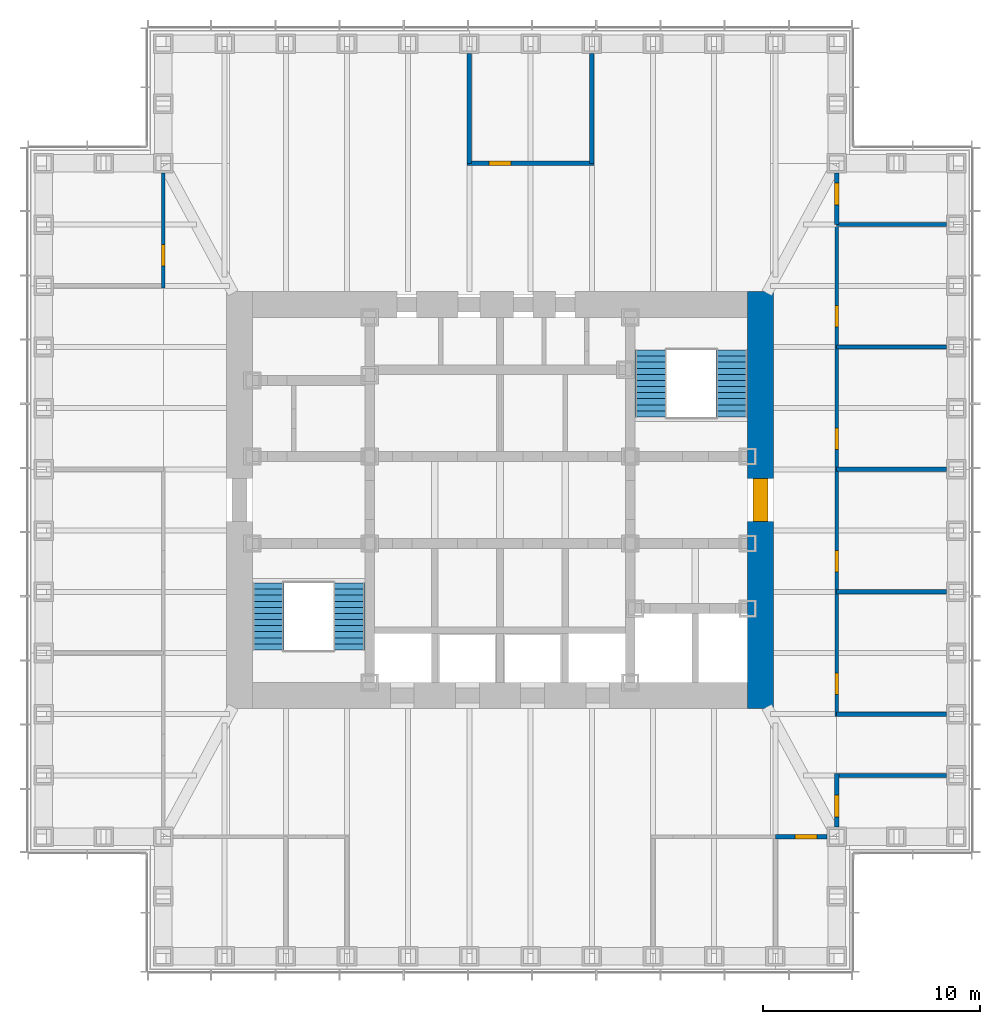
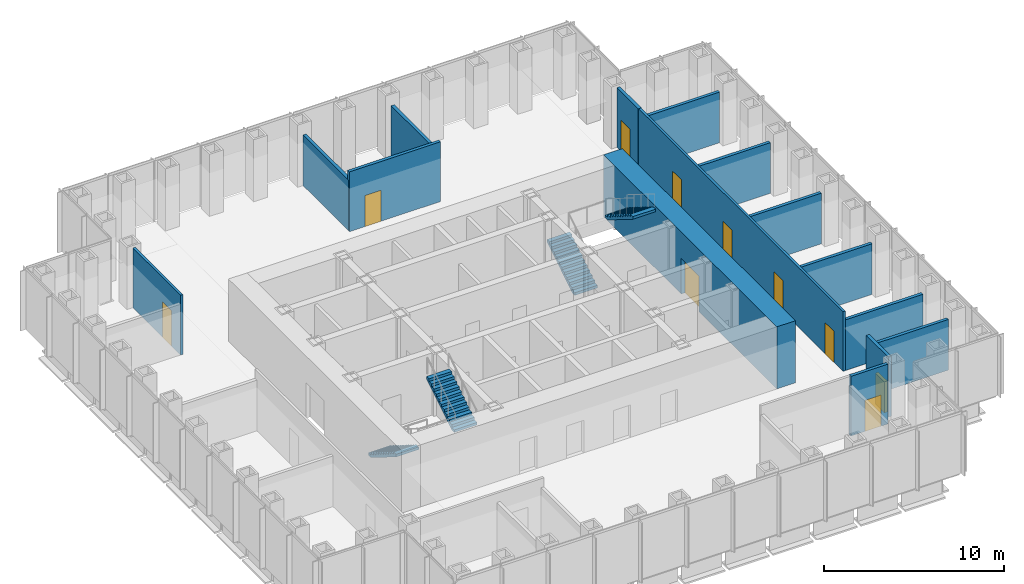
# One storey, part 10 of 16: 15 walls, 10 doors, 4 stair flights, 10 openings, 2 elements without a shape of their own.
"""IFC4 building model written with IfcOpenShell, lengths in metres."""

from ifc_helpers import new_model, si_unit, direction, frame, frame_2d, origin, place, context, subcontext, project, spatial, polyline, rectangle, outline, extrude, material, layer, layer_set, type_object, element, fill, aggregate, save


model = new_model("IFC4")

# Units and contexts
model_context = context("Model", 3, precision=1e-05, world=origin(), true_north=direction((0.0, 1.0)))
body_context = subcontext(model_context, "Body", "Model", "MODEL_VIEW")
ifc_project = project(units=[si_unit("LENGTHUNIT", "METRE"), si_unit("AREAUNIT", "SQUARE_METRE"), si_unit("VOLUMEUNIT", "CUBIC_METRE"), si_unit("PLANEANGLEUNIT", "RADIAN"), si_unit("MASSUNIT", "GRAM", prefix="KILO")], contexts=[model_context])

# Site, building, storey
site_placement = place(None, origin())
site = spatial("IfcSite", under=ifc_project, at=site_placement, CompositionType="ELEMENT")
building_placement = place(site_placement, origin())
building = spatial("IfcBuilding", under=site, at=building_placement, Name="Daluyong Arena Tower", CompositionType="ELEMENT")
storey_placement = place(building_placement, frame((0.0, 0.0, 202.300048828125)))
storey = spatial("IfcBuildingStorey", under=building, at=storey_placement, Name="L45", CompositionType="ELEMENT", Elevation=202.300048828125)

# Wall, opening, door
ifc_material_1 = material(Name="Concrete fc' 60 MPa", Category="concrete")
ifc_layer_1 = layer(ifc_material_1, 1.199951171875)
ifc_layer_set_1 = layer_set([ifc_layer_1], Name="Concrete fc' 60 MPa")
wall_type_1 = type_object("IfcWallType", Name="Core wall 1200", PredefinedType="SHEAR", material=ifc_layer_set_1)
wall_1_placement = place(storey_placement, frame((68.0, 70.39990234375, 0.0), z_axis=(0.0, 0.0, 1.0), x_axis=(0.0, 1.0, 0.0)))
wall_1 = element("IfcWall", 1, at=wall_1_placement, inside=storey, type_object=wall_type_1, Name="core wall at L45", PredefinedType="SHEAR", context=body_context, shape_type="SweptSolid", body=[
    extrude(rectangle(XDim=19.2001953125, YDim=1.199951171875, at=frame_2d((9.60009765625, 0.0))), origin(), (0.0, 0.0, 1.0), 4.199951171875),
])
opening_1_placement = place(wall_1_placement, frame((8.60009765625, 0.0, 0.0)))
opening_1 = element("IfcOpeningElement", 2, at=opening_1_placement, cuts=wall_1, Name="Opening 45020", PredefinedType="OPENING", context=body_context, shape_type="SweptSolid", body=[
    extrude(rectangle(XDim=2.0, YDim=2.39990234375, at=frame_2d((1.0, 1.199951171875))), frame((0.0, 0.60986328125, 0.0), z_axis=(0.0, -1.0, 0.0), x_axis=(1.0, 0.0, 0.0)), (0.0, 0.0, 1.0), 1.219970703125),
])
ifc_material_2 = material(Name="Steel door, fire rated", Category="steel")
door_type_1 = type_object("IfcDoorType", Name="Core lobby double door 2000", OperationType="DOUBLE_DOOR_SINGLE_SWING", PredefinedType="DOOR", material=ifc_material_2)
door_1_placement = place(opening_1_placement, origin())
door_1 = element("IfcDoor", 3, at=door_1_placement, inside=storey, type_object=door_type_1, Name="core lobby door east 45020", OperationType="DOUBLE_DOOR_SINGLE_SWING", OverallHeight=2.39990234375, OverallWidth=2.0, PredefinedType="DOOR", context=body_context, shape_type="SweptSolid", body=[
    extrude(rectangle(XDim=2.0, YDim=2.39990234375, at=frame_2d((1.0, 1.199951171875))), frame((0.0, 0.35009765625, 0.0), z_axis=(0.0, -1.0, 0.0), x_axis=(1.0, 0.0, 0.0)), (0.0, 0.0, 1.0), 0.699951171875),
])
fill(opening_1, door_1)

ifc_material_3 = material(Name="Glazed aluminium partition", Category="aluminium")
ifc_layer_2 = layer(ifc_material_3, 0.14990234375)
ifc_layer_set_2 = layer_set([ifc_layer_2], Name="Glazed aluminium partition")
wall_type_2 = type_object("IfcWallType", Name="Glazed partition 150", PredefinedType="PARTITIONING", material=ifc_layer_set_2)
wall_2_placement = place(storey_placement, frame((40.5, 89.763671875, 0.0), z_axis=(0.0, 0.0, 1.0), x_axis=(0.0, 1.0, 0.0)))
wall_2 = element("IfcWall", 4, at=wall_2_placement, inside=storey, type_object=wall_type_2, Name="glazed partition at L45", PredefinedType="PARTITIONING", context=body_context, shape_type="SweptSolid", body=[
    extrude(rectangle(XDim=5.286376953125, YDim=0.14990234375, at=frame_2d((2.64306640625, 0.0))), origin(), (0.0, 0.0, 1.0), 4.0400390625),
])
opening_2_placement = place(wall_2_placement, frame((1.009033203125, 0.0, 0.0)))
opening_2 = element("IfcOpeningElement", 5, at=opening_2_placement, cuts=wall_2, Name="Opening 45043", PredefinedType="OPENING", context=body_context, shape_type="SweptSolid", body=[
    extrude(rectangle(XDim=1.0, YDim=2.39990234375, at=frame_2d((0.5, 1.199951171875))), frame((0.0, 0.0849609375, 0.0), z_axis=(0.0, -1.0, 0.0), x_axis=(1.0, 0.0, 0.0)), (0.0, 0.0, 1.0), 0.169921875),
])
ifc_material_4 = material(Name="Glazed aluminium door", Category="aluminium")
door_type_2 = type_object("IfcDoorType", Name="Meeting room glazed door 1000", OperationType="SINGLE_SWING_RIGHT", PredefinedType="DOOR", material=ifc_material_4)
door_2_placement = place(opening_2_placement, origin())
door_2 = element("IfcDoor", 6, at=door_2_placement, inside=storey, type_object=door_type_2, Name="meeting room door 45043", OperationType="SINGLE_SWING_RIGHT", OverallHeight=2.39990234375, OverallWidth=1.0, PredefinedType="DOOR", context=body_context, shape_type="SweptSolid", body=[
    extrude(rectangle(XDim=1.0, YDim=2.39990234375, at=frame_2d((0.5, 1.199951171875))), frame((0.0, 0.07470703125, 0.0), z_axis=(0.0, -1.0, 0.0), x_axis=(1.0, 0.0, 0.0)), (0.0, 0.0, 1.0), 0.1494140625),
])
fill(opening_2, door_2)

# Wall, openings, doors
wall_3_placement = place(storey_placement, frame((71.5, 70.036376953125, 0.0), z_axis=(0.0, 0.0, 1.0), x_axis=(0.0, 1.0, 0.0)))
wall_3 = element("IfcWall", 7, at=wall_3_placement, inside=storey, type_object=wall_type_2, Name="glazed partition at L45", PredefinedType="PARTITIONING", context=body_context, shape_type="SweptSolid", body=[
    extrude(rectangle(XDim=22.6455078125, YDim=0.14990234375, at=frame_2d((11.32275390625, 0.0))), origin(), (0.0, 0.0, 1.0), 4.0400390625),
])
opening_3_placement = place(wall_3_placement, frame((1.009033203125, 0.0, 0.0)))
opening_3 = element("IfcOpeningElement", 8, at=opening_3_placement, cuts=wall_3, Name="Opening 45035", PredefinedType="OPENING", context=body_context, shape_type="SweptSolid", body=[
    extrude(rectangle(XDim=1.0, YDim=2.10009765625, at=frame_2d((0.5, 1.050048828125))), frame((0.0, 0.0849609375, 0.0), z_axis=(0.0, -1.0, 0.0), x_axis=(1.0, 0.0, 0.0)), (0.0, 0.0, 1.0), 0.169921875),
])
opening_4_placement = place(wall_3_placement, frame((6.6455078125, 0.0, 0.0)))
opening_4 = element("IfcOpeningElement", 9, at=opening_4_placement, cuts=wall_3, Name="Opening 45036", PredefinedType="OPENING", context=body_context, shape_type="SweptSolid", body=[
    extrude(rectangle(XDim=1.0, YDim=2.10009765625, at=frame_2d((0.5, 1.050048828125))), frame((0.0, 0.0849609375, 0.0), z_axis=(0.0, -1.0, 0.0), x_axis=(1.0, 0.0, 0.0)), (0.0, 0.0, 1.0), 0.169921875),
])
opening_5_placement = place(wall_3_placement, frame((12.28173828125, 0.0, 0.0)))
opening_5 = element("IfcOpeningElement", 10, at=opening_5_placement, cuts=wall_3, Name="Opening 45037", PredefinedType="OPENING", context=body_context, shape_type="SweptSolid", body=[
    extrude(rectangle(XDim=1.0, YDim=2.10009765625, at=frame_2d((0.5, 1.050048828125))), frame((0.0, 0.0849609375, 0.0), z_axis=(0.0, -1.0, 0.0), x_axis=(1.0, 0.0, 0.0)), (0.0, 0.0, 1.0), 0.169921875),
])
opening_6_placement = place(wall_3_placement, frame((17.918212890625, 0.0, 0.0)))
opening_6 = element("IfcOpeningElement", 11, at=opening_6_placement, cuts=wall_3, Name="Opening 45038", PredefinedType="OPENING", context=body_context, shape_type="SweptSolid", body=[
    extrude(rectangle(XDim=1.0, YDim=2.10009765625, at=frame_2d((0.5, 1.050048828125))), frame((0.0, 0.0849609375, 0.0), z_axis=(0.0, -1.0, 0.0), x_axis=(1.0, 0.0, 0.0)), (0.0, 0.0, 1.0), 0.169921875),
])
ifc_material_5 = material(Name="Timber door", Category="wood")
door_type_3 = type_object("IfcDoorType", Name="Room door 1000", OperationType="SINGLE_SWING_LEFT", PredefinedType="DOOR", material=ifc_material_5)
door_3_placement = place(opening_3_placement, origin())
door_3 = element("IfcDoor", 12, at=door_3_placement, inside=storey, type_object=door_type_3, Name="executive office door 45035", OperationType="SINGLE_SWING_LEFT", OverallHeight=2.10009765625, OverallWidth=1.0, PredefinedType="DOOR", context=body_context, shape_type="SweptSolid", body=[
    extrude(rectangle(XDim=1.0, YDim=2.10009765625, at=frame_2d((0.5, 1.050048828125))), frame((0.0, 0.07470703125, 0.0), z_axis=(0.0, -1.0, 0.0), x_axis=(1.0, 0.0, 0.0)), (0.0, 0.0, 1.0), 0.1494140625),
])
fill(opening_3, door_3)
door_4_placement = place(opening_4_placement, origin())
door_4 = element("IfcDoor", 13, at=door_4_placement, inside=storey, type_object=door_type_3, Name="executive office door 45036", OperationType="SINGLE_SWING_LEFT", OverallHeight=2.10009765625, OverallWidth=1.0, PredefinedType="DOOR", context=body_context, shape_type="SweptSolid", body=[
    extrude(rectangle(XDim=1.0, YDim=2.10009765625, at=frame_2d((0.5, 1.050048828125))), frame((0.0, 0.07470703125, 0.0), z_axis=(0.0, -1.0, 0.0), x_axis=(1.0, 0.0, 0.0)), (0.0, 0.0, 1.0), 0.1494140625),
])
fill(opening_4, door_4)
door_5_placement = place(opening_5_placement, origin())
door_5 = element("IfcDoor", 14, at=door_5_placement, inside=storey, type_object=door_type_3, Name="executive office door 45037", OperationType="SINGLE_SWING_LEFT", OverallHeight=2.10009765625, OverallWidth=1.0, PredefinedType="DOOR", context=body_context, shape_type="SweptSolid", body=[
    extrude(rectangle(XDim=1.0, YDim=2.10009765625, at=frame_2d((0.5, 1.050048828125))), frame((0.0, 0.07470703125, 0.0), z_axis=(0.0, -1.0, 0.0), x_axis=(1.0, 0.0, 0.0)), (0.0, 0.0, 1.0), 0.1494140625),
])
fill(opening_5, door_5)
door_6_placement = place(opening_6_placement, origin())
door_6 = element("IfcDoor", 15, at=door_6_placement, inside=storey, type_object=door_type_3, Name="office door 45038", OperationType="SINGLE_SWING_LEFT", OverallHeight=2.10009765625, OverallWidth=1.0, PredefinedType="DOOR", context=body_context, shape_type="SweptSolid", body=[
    extrude(rectangle(XDim=1.0, YDim=2.10009765625, at=frame_2d((0.5, 1.050048828125))), frame((0.0, 0.07470703125, 0.0), z_axis=(0.0, -1.0, 0.0), x_axis=(1.0, 0.0, 0.0)), (0.0, 0.0, 1.0), 0.1494140625),
])
fill(opening_6, door_6)

# Walls
ifc_material_6 = material(Name="Concrete block partition", Category="concrete")
ifc_layer_3 = layer(ifc_material_6, 0.199951171875)
ifc_layer_set_3 = layer_set([ifc_layer_3], Name="Concrete block partition")
wall_type_3 = type_object("IfcWallType", Name="Partition 200", PredefinedType="PARTITIONING", material=ifc_layer_set_3)
for number, where, z_axis, x_axis, name in (
    (16, (71.5, 67.318115234375, 0.0), (0.0, 0.0, 1.0), (1.0, 0.0, 0.0), "partition at L45"),
    (17, (71.5, 70.136474609375, 0.0), (0.0, 0.0, 1.0), (1.0, 0.0, 0.0), "partition at L45"),
    (18, (71.5, 75.772705078125, 0.0), (0.0, 0.0, 1.0), (1.0, 0.0, 0.0), "partition at L45"),
    (19, (71.5, 81.4091796875, 0.0), (0.0, 0.0, 1.0), (1.0, 0.0, 0.0), "partition at L45"),
    (20, (71.5, 87.04541015625, 0.0), (0.0, 0.0, 1.0), (1.0, 0.0, 0.0), "partition at L45"),
    (21, (71.5, 92.681884765625, 0.0), (0.0, 0.0, 1.0), (1.0, 0.0, 0.0), "partition at L45"),
    (22, (54.5908203125, 95.5, 0.0), (0.0, 0.0, 1.0), (0.0, 1.0, 0.0), "partition at L45"),
    (23, (60.227294921875, 95.5, 0.0), (0.0, 0.0, 1.0), (0.0, 1.0, 0.0), "partition at L45"),
):
    element("IfcWall", number, at=place(storey_placement, frame(where, z_axis=z_axis, x_axis=x_axis)), inside=storey, type_object=wall_type_3, Name=name, PredefinedType="PARTITIONING", context=body_context, shape_type="SweptSolid", body=[
        extrude(rectangle(XDim=5.050048828125, YDim=0.199951171875, at=frame_2d((2.52490234375, 0.0))), origin(), (0.0, 0.0, 1.0), 3.427734375),
    ])

# Wall, opening, door
wall_4_placement = place(storey_placement, frame((68.681884765625, 64.5, 0.0), z_axis=(0.0, 0.0, 1.0), x_axis=(1.0, 0.0, 0.0)))
wall_4 = element("IfcWall", 24, at=wall_4_placement, inside=storey, type_object=wall_type_3, Name="partition at L45", PredefinedType="PARTITIONING", context=body_context, shape_type="SweptSolid", body=[
    extrude(rectangle(XDim=2.3681640625, YDim=0.199951171875, at=frame_2d((1.18408203125, 0.0))), origin(), (0.0, 0.0, 1.0), 4.0400390625),
])
opening_7_placement = place(wall_4_placement, frame((0.9091796875, 0.0, 0.0)))
opening_7 = element("IfcOpeningElement", 25, at=opening_7_placement, cuts=wall_4, Name="Opening 45033", PredefinedType="OPENING", context=body_context, shape_type="SweptSolid", body=[
    extrude(rectangle(XDim=1.0, YDim=2.10009765625, at=frame_2d((0.5, 1.050048828125))), frame((0.0, 0.10986328125, 0.0), z_axis=(0.0, -1.0, 0.0), x_axis=(1.0, 0.0, 0.0)), (0.0, 0.0, 1.0), 0.219970703125),
])
door_7_placement = place(opening_7_placement, origin())
door_7 = element("IfcDoor", 26, at=door_7_placement, inside=storey, type_object=door_type_3, Name="wellness room door 45033", OperationType="SINGLE_SWING_LEFT", OverallHeight=2.10009765625, OverallWidth=1.0, PredefinedType="DOOR", context=body_context, shape_type="SweptSolid", body=[
    extrude(rectangle(XDim=1.0, YDim=2.10009765625, at=frame_2d((0.5, 1.050048828125))), frame((0.0, 0.099609375, 0.0), z_axis=(0.0, -1.0, 0.0), x_axis=(1.0, 0.0, 0.0)), (0.0, 0.0, 1.0), 0.199462890625),
])
fill(opening_7, door_7)

wall_5_placement = place(storey_placement, frame((54.490966796875, 95.5, 0.0), z_axis=(0.0, 0.0, 1.0), x_axis=(1.0, 0.0, 0.0)))
wall_5 = element("IfcWall", 27, at=wall_5_placement, inside=storey, type_object=wall_type_3, Name="partition at L45", PredefinedType="PARTITIONING", context=body_context, shape_type="SweptSolid", body=[
    extrude(rectangle(XDim=5.83642578125, YDim=0.199951171875, at=frame_2d((2.918212890625, 0.0))), origin(), (0.0, 0.0, 1.0), 4.0400390625),
])
opening_8_placement = place(wall_5_placement, frame((1.009033203125, 0.0, 0.0)))
opening_8 = element("IfcOpeningElement", 28, at=opening_8_placement, cuts=wall_5, Name="Opening 45040", PredefinedType="OPENING", context=body_context, shape_type="SweptSolid", body=[
    extrude(rectangle(XDim=1.0, YDim=2.10009765625, at=frame_2d((0.5, 1.050048828125))), frame((0.0, 0.10986328125, 0.0), z_axis=(0.0, -1.0, 0.0), x_axis=(1.0, 0.0, 0.0)), (0.0, 0.0, 1.0), 0.219970703125),
])
door_8_placement = place(opening_8_placement, origin())
door_8 = element("IfcDoor", 29, at=door_8_placement, inside=storey, type_object=door_type_3, Name="pantry door 45040", OperationType="SINGLE_SWING_LEFT", OverallHeight=2.10009765625, OverallWidth=1.0, PredefinedType="DOOR", context=body_context, shape_type="SweptSolid", body=[
    extrude(rectangle(XDim=1.0, YDim=2.10009765625, at=frame_2d((0.5, 1.050048828125))), frame((0.0, 0.099609375, 0.0), z_axis=(0.0, -1.0, 0.0), x_axis=(1.0, 0.0, 0.0)), (0.0, 0.0, 1.0), 0.199462890625),
])
fill(opening_8, door_8)

wall_6_placement = place(storey_placement, frame((71.5, 64.949951171875, 0.0), z_axis=(0.0, 0.0, 1.0), x_axis=(0.0, 1.0, 0.0)))
wall_6 = element("IfcWall", 30, at=wall_6_placement, inside=storey, type_object=wall_type_3, Name="partition at L45", PredefinedType="PARTITIONING", context=body_context, shape_type="SweptSolid", body=[
    extrude(rectangle(XDim=2.46826171875, YDim=0.199951171875, at=frame_2d((1.234130859375, 0.0))), origin(), (0.0, 0.0, 1.0), 4.0400390625),
])
opening_9_placement = place(wall_6_placement, frame((0.458984375, 0.0, 0.0)))
opening_9 = element("IfcOpeningElement", 31, at=opening_9_placement, cuts=wall_6, Name="Opening 45034", PredefinedType="OPENING", context=body_context, shape_type="SweptSolid", body=[
    extrude(rectangle(XDim=1.0, YDim=2.10009765625, at=frame_2d((0.5, 1.050048828125))), frame((0.0, 0.10986328125, 0.0), z_axis=(0.0, -1.0, 0.0), x_axis=(1.0, 0.0, 0.0)), (0.0, 0.0, 1.0), 0.219970703125),
])
door_9_placement = place(opening_9_placement, origin())
door_9 = element("IfcDoor", 32, at=door_9_placement, inside=storey, type_object=door_type_3, Name="wellness room door 45034", OperationType="SINGLE_SWING_LEFT", OverallHeight=2.10009765625, OverallWidth=1.0, PredefinedType="DOOR", context=body_context, shape_type="SweptSolid", body=[
    extrude(rectangle(XDim=1.0, YDim=2.10009765625, at=frame_2d((0.5, 1.050048828125))), frame((0.0, 0.099609375, 0.0), z_axis=(0.0, -1.0, 0.0), x_axis=(1.0, 0.0, 0.0)), (0.0, 0.0, 1.0), 0.199462890625),
])
fill(opening_9, door_9)

wall_7_placement = place(storey_placement, frame((71.5, 92.681884765625, 0.0), z_axis=(0.0, 0.0, 1.0), x_axis=(0.0, 1.0, 0.0)))
wall_7 = element("IfcWall", 33, at=wall_7_placement, inside=storey, type_object=wall_type_3, Name="partition at L45", PredefinedType="PARTITIONING", context=body_context, shape_type="SweptSolid", body=[
    extrude(rectangle(XDim=2.3681640625, YDim=0.199951171875, at=frame_2d((1.18408203125, 0.0))), origin(), (0.0, 0.0, 1.0), 4.0400390625),
])
opening_10_placement = place(wall_7_placement, frame((0.9091796875, 0.0, 0.0)))
opening_10 = element("IfcOpeningElement", 34, at=opening_10_placement, cuts=wall_7, Name="Opening 45039", PredefinedType="OPENING", context=body_context, shape_type="SweptSolid", body=[
    extrude(rectangle(XDim=1.0, YDim=2.10009765625, at=frame_2d((0.5, 1.050048828125))), frame((0.0, 0.10986328125, 0.0), z_axis=(0.0, -1.0, 0.0), x_axis=(1.0, 0.0, 0.0)), (0.0, 0.0, 1.0), 0.219970703125),
])
door_10_placement = place(opening_10_placement, origin())
door_10 = element("IfcDoor", 35, at=door_10_placement, inside=storey, type_object=door_type_3, Name="wellness room door 45039", OperationType="SINGLE_SWING_LEFT", OverallHeight=2.10009765625, OverallWidth=1.0, PredefinedType="DOOR", context=body_context, shape_type="SweptSolid", body=[
    extrude(rectangle(XDim=1.0, YDim=2.10009765625, at=frame_2d((0.5, 1.050048828125))), frame((0.0, 0.099609375, 0.0), z_axis=(0.0, -1.0, 0.0), x_axis=(1.0, 0.0, 0.0)), (0.0, 0.0, 1.0), 0.199462890625),
])
fill(opening_10, door_10)

# Stair, stair flights
ifc_material_7 = material(Name="Concrete fc' 35 MPa", Category="concrete")
stair_type = type_object("IfcStairType", Name="Core exit stair", PredefinedType="HALF_TURN_STAIR", material=ifc_material_7)
stair_1_placement = place(storey_placement, origin())
stair_1 = element("IfcStair", 36, at=stair_1_placement, inside=storey, type_object=stair_type, Name="exit stair A L45", PredefinedType="HALF_TURN_STAIR")
ifc_material_8 = material(Name="Concrete fc' 35 MPa", Category="concrete")
stair_flight_type = type_object("IfcStairFlightType", Name="Core stair flight", PredefinedType="STRAIGHT", material=ifc_material_8)
stair_flight_1_placement = place(storey_placement, frame((45.324951171875, 76.175048828125, 0.0), z_axis=(0.0, 0.0, 1.0), x_axis=(0.0, -1.0, 0.0)))
stair_flight_1 = element("IfcStairFlight", 37, at=stair_flight_1_placement, type_object=stair_flight_type, Name="STA flight 1", NumberOfRisers=12, NumberOfTreads=11, PredefinedType="STRAIGHT", RiserHeight=0.175, TreadLength=0.28, context=body_context, shape_type="SweptSolid", body=[
    extrude(outline(polyline([(0.0, 0.0), (0.0, 0.175048828125), (0.280029296875, 0.175048828125), (0.280029296875, 0.35009765625), (0.56005859375, 0.35009765625), (0.56005859375, 0.52490234375), (0.840087890625, 0.52490234375), (0.840087890625, 0.699951171875), (1.1201171875, 0.699951171875), (1.1201171875, 0.875), (1.39990234375, 0.875), (1.39990234375, 1.050048828125), (1.679931640625, 1.050048828125), (1.679931640625, 1.22509765625), (1.9599609375, 1.22509765625), (1.9599609375, 1.39990234375), (2.239990234375, 1.39990234375), (2.239990234375, 1.574951171875), (2.52001953125, 1.574951171875), (2.52001953125, 1.75), (2.800048828125, 1.75), (2.800048828125, 1.925048828125), (3.080078125, 1.925048828125), (3.080078125, 2.10009765625), (3.080078125, 1.748291015625), (0.28271484375, 0.0), (0.0, 0.0)])), frame((0.0, 0.72509765625, 0.0), z_axis=(0.0, -1.0, 0.0), x_axis=(1.0, 0.0, 0.0)), (0.0, 0.0, 1.0), 1.449951171875),
])
stair_flight_2_placement = place(storey_placement, frame((49.050048828125, 73.094970703125, 2.099853515625), z_axis=(0.0, 0.0, 1.0), x_axis=(0.0, 1.0, 0.0)))
stair_flight_2 = element("IfcStairFlight", 38, at=stair_flight_2_placement, type_object=stair_flight_type, Name="STA flight 2", NumberOfRisers=12, NumberOfTreads=11, PredefinedType="STRAIGHT", RiserHeight=0.175, TreadLength=0.28, context=body_context, shape_type="SweptSolid", body=[
    extrude(outline(polyline([(0.0, 0.0), (0.0, 0.175048828125), (0.280029296875, 0.175048828125), (0.280029296875, 0.35009765625), (0.56005859375, 0.35009765625), (0.56005859375, 0.52490234375), (0.840087890625, 0.52490234375), (0.840087890625, 0.699951171875), (1.1201171875, 0.699951171875), (1.1201171875, 0.875), (1.39990234375, 0.875), (1.39990234375, 1.050048828125), (1.679931640625, 1.050048828125), (1.679931640625, 1.22509765625), (1.9599609375, 1.22509765625), (1.9599609375, 1.39990234375), (2.239990234375, 1.39990234375), (2.239990234375, 1.574951171875), (2.52001953125, 1.574951171875), (2.52001953125, 1.75), (2.800048828125, 1.75), (2.800048828125, 1.925048828125), (3.080078125, 1.925048828125), (3.080078125, 2.10009765625), (3.080078125, 1.748291015625), (0.28271484375, 0.0), (0.0, 0.0)])), frame((0.0, 0.72509765625, 0.0), z_axis=(0.0, -1.0, 0.0), x_axis=(1.0, 0.0, 0.0)), (0.0, 0.0, 1.0), 1.449951171875),
])
aggregate(stair_1, [stair_flight_1, stair_flight_2])

stair_2_placement = place(storey_placement, origin())
stair_2 = element("IfcStair", 39, at=stair_2_placement, inside=storey, type_object=stair_type, Name="exit stair B L45", PredefinedType="HALF_TURN_STAIR")
stair_flight_3_placement = place(storey_placement, frame((62.949951171875, 83.824951171875, 0.0), z_axis=(0.0, 0.0, 1.0), x_axis=(0.0, 1.0, 0.0)))
stair_flight_3 = element("IfcStairFlight", 40, at=stair_flight_3_placement, type_object=stair_flight_type, Name="STB flight 1", NumberOfRisers=12, NumberOfTreads=11, PredefinedType="STRAIGHT", RiserHeight=0.175, TreadLength=0.28, context=body_context, shape_type="SweptSolid", body=[
    extrude(outline(polyline([(0.0, 0.0), (0.0, 0.175048828125), (0.280029296875, 0.175048828125), (0.280029296875, 0.35009765625), (0.56005859375, 0.35009765625), (0.56005859375, 0.52490234375), (0.840087890625, 0.52490234375), (0.840087890625, 0.699951171875), (1.1201171875, 0.699951171875), (1.1201171875, 0.875), (1.39990234375, 0.875), (1.39990234375, 1.050048828125), (1.679931640625, 1.050048828125), (1.679931640625, 1.22509765625), (1.9599609375, 1.22509765625), (1.9599609375, 1.39990234375), (2.239990234375, 1.39990234375), (2.239990234375, 1.574951171875), (2.52001953125, 1.574951171875), (2.52001953125, 1.75), (2.800048828125, 1.75), (2.800048828125, 1.925048828125), (3.080078125, 1.925048828125), (3.080078125, 2.10009765625), (3.080078125, 1.748291015625), (0.28271484375, 0.0), (0.0, 0.0)])), frame((0.0, 0.72509765625, 0.0), z_axis=(0.0, -1.0, 0.0), x_axis=(1.0, 0.0, 0.0)), (0.0, 0.0, 1.0), 1.449951171875),
])
stair_flight_4_placement = place(storey_placement, frame((66.675048828125, 86.905029296875, 2.099853515625), z_axis=(0.0, 0.0, 1.0), x_axis=(0.0, -1.0, 0.0)))
stair_flight_4 = element("IfcStairFlight", 41, at=stair_flight_4_placement, type_object=stair_flight_type, Name="STB flight 2", NumberOfRisers=12, NumberOfTreads=11, PredefinedType="STRAIGHT", RiserHeight=0.175, TreadLength=0.28, context=body_context, shape_type="SweptSolid", body=[
    extrude(outline(polyline([(0.0, 0.0), (0.0, 0.175048828125), (0.280029296875, 0.175048828125), (0.280029296875, 0.35009765625), (0.56005859375, 0.35009765625), (0.56005859375, 0.52490234375), (0.840087890625, 0.52490234375), (0.840087890625, 0.699951171875), (1.1201171875, 0.699951171875), (1.1201171875, 0.875), (1.39990234375, 0.875), (1.39990234375, 1.050048828125), (1.679931640625, 1.050048828125), (1.679931640625, 1.22509765625), (1.9599609375, 1.22509765625), (1.9599609375, 1.39990234375), (2.239990234375, 1.39990234375), (2.239990234375, 1.574951171875), (2.52001953125, 1.574951171875), (2.52001953125, 1.75), (2.800048828125, 1.75), (2.800048828125, 1.925048828125), (3.080078125, 1.925048828125), (3.080078125, 2.10009765625), (3.080078125, 1.748291015625), (0.28271484375, 0.0), (0.0, 0.0)])), frame((0.0, 0.72509765625, 0.0), z_axis=(0.0, -1.0, 0.0), x_axis=(1.0, 0.0, 0.0)), (0.0, 0.0, 1.0), 1.449951171875),
])
aggregate(stair_2, [stair_flight_3, stair_flight_4])

save(model, "model.ifc")
